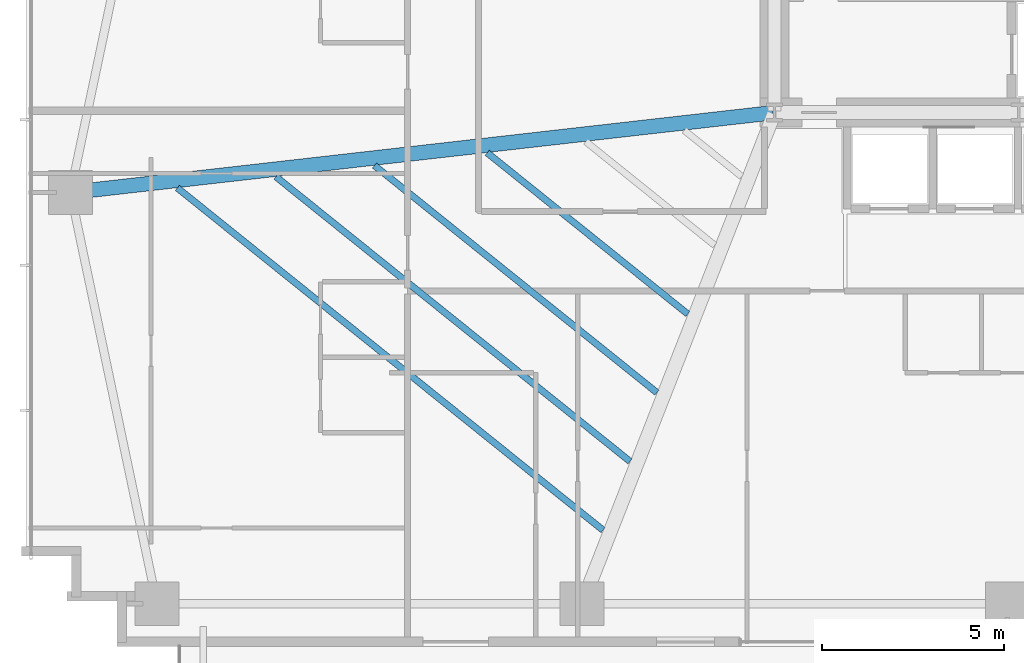
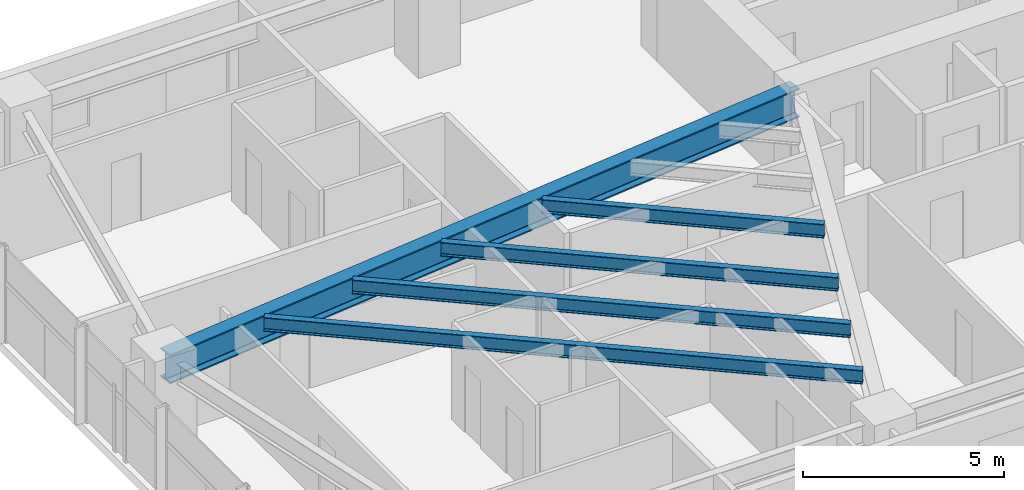
# One storey, part 5 of 25: 5 beams.
"""IFC4 building model written with IfcOpenShell, lengths in metres."""

from ifc_helpers import new_model, si_unit, direction, frame, origin, origin_2d, place, context, subcontext, project, spatial, i_section, extrude, source, transform, mapped, material, material_profile, profile_set, type_object, type_shapes, element, save


model = new_model("IFC4")

# Units and contexts
model_context = context("Model", 3, precision=1e-05, world=origin(), true_north=direction((0.0, 1.0)))
body_context = subcontext(model_context, "Body", "Model", "MODEL_VIEW")
ifc_project = project(units=[si_unit("LENGTHUNIT", "METRE"), si_unit("AREAUNIT", "SQUARE_METRE"), si_unit("VOLUMEUNIT", "CUBIC_METRE"), si_unit("PLANEANGLEUNIT", "RADIAN"), si_unit("MASSUNIT", "GRAM", prefix="KILO")], contexts=[model_context])

# Site, building, storey
site_placement = place(None, origin())
site = spatial("IfcSite", under=ifc_project, at=site_placement, CompositionType="ELEMENT")
building_placement = place(site_placement, origin())
building = spatial("IfcBuilding", under=site, at=building_placement, Name="Astriad Promenade Condominiums", CompositionType="ELEMENT")
storey_placement = place(building_placement, frame((0.0, 0.0, 35.800048828125)))
storey = spatial("IfcBuildingStorey", under=building, at=storey_placement, Name="L09", CompositionType="ELEMENT", Elevation=35.800048828125)

# Beams
ifc_material = material(Name="Steel ASTM A992 Grade 50", Category="steel")
ifc_material_profile_1 = material_profile(ifc_material, i_section(OverallWidth=0.4013671875, OverallDepth=0.877197265625, WebThickness=0.022216796875, FlangeThickness=0.039794921875, FilletRadius=0.02294921875, at=origin_2d()), Name="W33X263")
ifc_profile_set_1 = profile_set([ifc_material_profile_1], Name="Steel ASTM A992 Grade 50")
beam_type_1 = type_object("IfcBeamType", Name="STEEL PRIMARY GIRDER W33X263", PredefinedType="BEAM", material=ifc_profile_set_1)
shared_shape_1 = source(origin(), body_context, "Body", "SweptSolid", [
    extrude(i_section(OverallWidth=0.4013671875, OverallDepth=0.877197265625, WebThickness=0.022216796875, FlangeThickness=0.039794921875, FilletRadius=0.02294921875, at=origin_2d()), origin(), (0.0, 0.0, 1.0), 19.424560546875),
])
type_shapes(beam_type_1, [shared_shape_1])
beam_1_placement = place(storey_placement, frame((7.059814453125, 15.20458984375, 2.50146484375), z_axis=(0.993618675315, 0.11279152479, 0.0), x_axis=(-0.11279152479, 0.993618675315, 0.0)))
element("IfcBeam", 1, at=beam_1_placement, inside=storey, type_object=beam_type_1, Name="Primary Floor Girder PG-WM-L09", PredefinedType="BEAM", context=body_context, shape_type="MappedRepresentation", body=[
    mapped(shared_shape_1, transform((0.0, 0.0, 0.0), scale=1.0)),
])
ifc_material_profile_2 = material_profile(ifc_material, i_section(OverallWidth=0.180908203125, OverallDepth=0.417236328125, WebThickness=0.010986328125, FlangeThickness=0.018310546875, FilletRadius=0.013916015625, at=origin_2d()), Name="W16X57")
ifc_profile_set_2 = profile_set([ifc_material_profile_2], Name="Steel ASTM A992 Grade 50")
beam_type_2 = type_object("IfcBeamType", Name="STEEL FLOOR JOIST W16X57", PredefinedType="JOIST", material=ifc_profile_set_2)
shared_shape_2 = source(origin(), body_context, "Body", "SweptSolid", [
    extrude(i_section(OverallWidth=0.180908203125, OverallDepth=0.417236328125, WebThickness=0.010986328125, FlangeThickness=0.018310546875, FilletRadius=0.013916015625, at=origin_2d()), origin(), (0.0, 0.0, 1.0), 15.033447265625),
])
beam_2_placement = place(storey_placement, frame((9.961181640625, 15.32470703125, 2.7314453125), z_axis=(0.779353434302, -0.626584570862, 0.0), x_axis=(0.626584570862, 0.779353434302, 0.0)))
element("IfcBeam", 2, at=beam_2_placement, inside=storey, type_object=beam_type_2, Name="Secondary Composite Floor Joist JW1-1-L09", PredefinedType="JOIST", context=body_context, shape_type="MappedRepresentation", body=[
    mapped(shared_shape_2, transform((0.0, 0.0, 0.0), scale=1.0)),
])
shared_shape_3 = source(origin(), body_context, "Body", "SweptSolid", [
    extrude(i_section(OverallWidth=0.180908203125, OverallDepth=0.417236328125, WebThickness=0.010986328125, FlangeThickness=0.018310546875, FilletRadius=0.013916015625, at=origin_2d()), origin(), (0.0, 0.0, 1.0), 12.50439453125),
])
beam_3_placement = place(storey_placement, frame((12.67431640625, 15.6328125, 2.7314453125), z_axis=(0.77935791062, -0.626579003122, 0.0), x_axis=(0.626579003122, 0.77935791062, 0.0)))
element("IfcBeam", 3, at=beam_3_placement, inside=storey, type_object=beam_type_2, Name="Secondary Composite Floor Joist JW1-2-L09", PredefinedType="JOIST", context=body_context, shape_type="MappedRepresentation", body=[
    mapped(shared_shape_3, transform((0.0, 0.0, 0.0), scale=1.0)),
])
shared_shape_4 = source(origin(), body_context, "Body", "SweptSolid", [
    extrude(i_section(OverallWidth=0.180908203125, OverallDepth=0.417236328125, WebThickness=0.010986328125, FlangeThickness=0.018310546875, FilletRadius=0.013916015625, at=origin_2d()), origin(), (0.0, 0.0, 1.0), 9.97509765625),
])
beam_4_placement = place(storey_placement, frame((15.387451171875, 15.94091796875, 2.7314453125), z_axis=(0.779355047887, -0.626582563859, 0.0), x_axis=(0.626582563859, 0.779355047887, 0.0)))
element("IfcBeam", 4, at=beam_4_placement, inside=storey, type_object=beam_type_2, Name="Secondary Composite Floor Joist JW1-3-L09", PredefinedType="JOIST", context=body_context, shape_type="MappedRepresentation", body=[
    mapped(shared_shape_4, transform((0.0, 0.0, 0.0), scale=1.0)),
])
shared_shape_5 = source(origin(), body_context, "Body", "SweptSolid", [
    extrude(i_section(OverallWidth=0.180908203125, OverallDepth=0.417236328125, WebThickness=0.010986328125, FlangeThickness=0.018310546875, FilletRadius=0.013916015625, at=origin_2d()), origin(), (0.0, 0.0, 1.0), 7.08447265625),
])
type_shapes(beam_type_2, [shared_shape_2, shared_shape_3, shared_shape_4, shared_shape_5])
beam_5_placement = place(storey_placement, frame((18.48828125, 16.292724609375, 2.7314453125), z_axis=(0.779353562297, -0.62658441166, 0.0), x_axis=(0.62658441166, 0.779353562297, 0.0)))
element("IfcBeam", 5, at=beam_5_placement, inside=storey, type_object=beam_type_2, Name="Secondary Composite Floor Joist JW1-4-L09", PredefinedType="JOIST", context=body_context, shape_type="MappedRepresentation", body=[
    mapped(shared_shape_5, transform((0.0, 0.0, 0.0), scale=1.0)),
])

save(model, "model.ifc")
